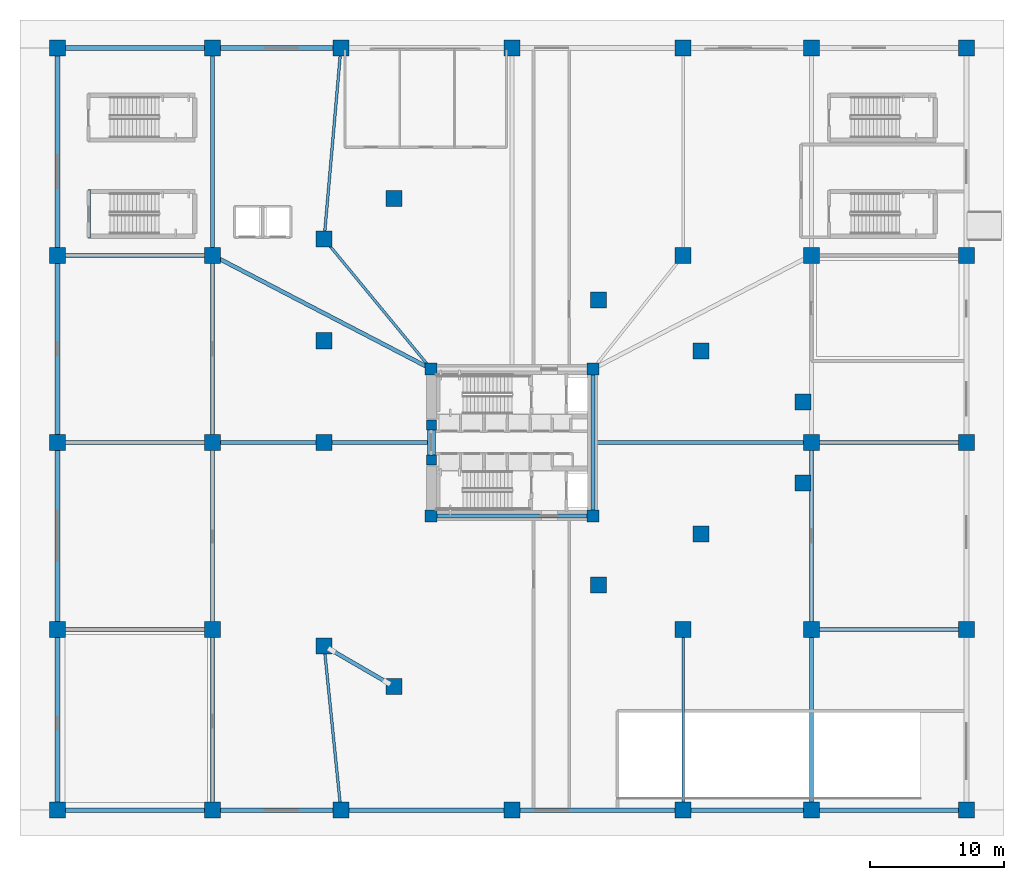
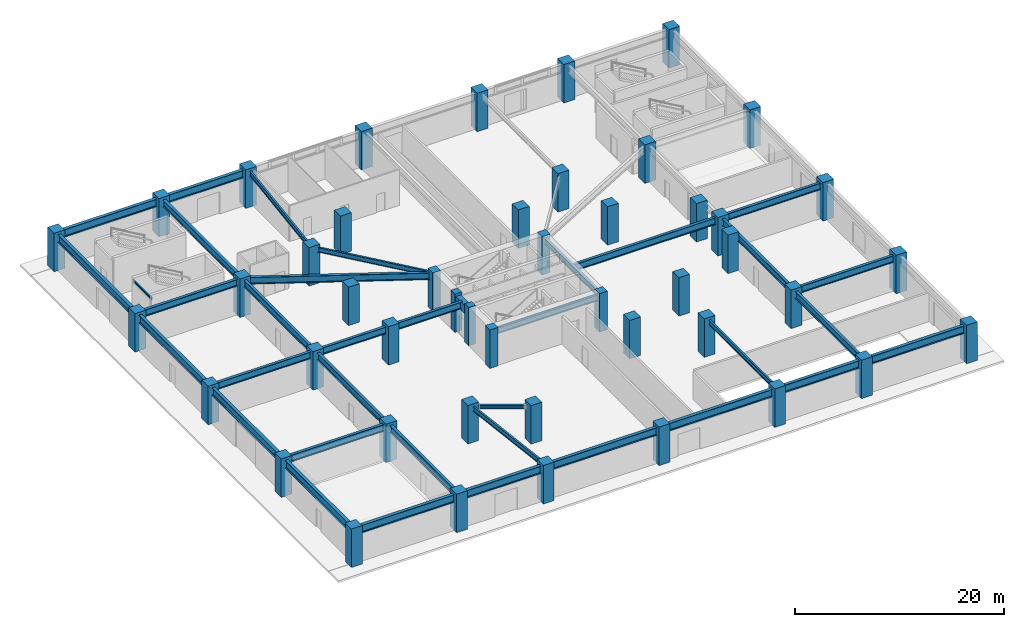
# One storey, part 1 of 18: 46 columns, 34 beams, 1 member.
"""IFC4 building model written with IfcOpenShell, lengths in metres."""

from ifc_helpers import new_model, si_unit, direction, frame, origin, origin_2d, place, context, subcontext, project, spatial, rectangle, i_section, extrude, source, transform, mapped, material, material_profile, profile_set, type_object, element, save


model = new_model("IFC4")

# Units and contexts
model_context = context("Model", 3, precision=1e-05, world=origin(), true_north=direction((0.0, 1.0)))
body_context = subcontext(model_context, "Body", "Model", "MODEL_VIEW")
ifc_project = project(units=[si_unit("LENGTHUNIT", "METRE"), si_unit("AREAUNIT", "SQUARE_METRE"), si_unit("VOLUMEUNIT", "CUBIC_METRE"), si_unit("PLANEANGLEUNIT", "RADIAN"), si_unit("MASSUNIT", "GRAM", prefix="KILO")], contexts=[model_context])

# Site, building, storey
site_placement = place(None, origin())
site = spatial("IfcSite", under=ifc_project, at=site_placement, CompositionType="ELEMENT")
building_placement = place(site_placement, origin())
building = spatial("IfcBuilding", under=site, at=building_placement, Name="Yunling Apex Tower", CompositionType="ELEMENT")
storey_placement = place(building_placement, origin())
storey = spatial("IfcBuildingStorey", under=building, at=storey_placement, Name="L01", CompositionType="ELEMENT", Elevation=0.0)

# Columns
ifc_material_1 = material(Name="Concrete C60", Category="concrete")
ifc_material_profile_1 = material_profile(ifc_material_1, rectangle(XDim=0.89990234375, YDim=0.89990234375, at=origin_2d()))
ifc_profile_set_1 = profile_set([ifc_material_profile_1], Name="Concrete C60")
column_type_1 = type_object("IfcColumnType", Name="PC-SRC-3", PredefinedType="COLUMN", material=ifc_profile_set_1)
shared_shape_1 = source(origin(), body_context, "Body", "SweptSolid", [
    extrude(rectangle(XDim=0.89990234375, YDim=0.89990234375, at=origin_2d()), origin(), (0.0, 0.0, 1.0), 4.5),
])
for number, where, z_axis, x_axis, name in (
    (1, (-6.050048828125, -5.5, 0.0), (0.0, 0.0, 1.0), (1.0, 0.0, 0.0), "L01 Core Spine Column CC-SW"),
    (2, (6.050048828125, -5.5, 0.0), (0.0, 0.0, 1.0), (1.0, 0.0, 0.0), "L01 Core Spine Column CC-SE"),
    (3, (6.050048828125, 5.5, 0.0), (0.0, 0.0, 1.0), (1.0, 0.0, 0.0), "L01 Core Spine Column CC-NE"),
    (4, (-6.050048828125, 5.5, 0.0), (0.0, 0.0, 1.0), (1.0, 0.0, 0.0), "L01 Core Spine Column CC-NW"),
):
    element("IfcColumn", number, at=place(storey_placement, frame(where, z_axis=z_axis, x_axis=x_axis)), inside=storey, type_object=column_type_1, Name=name, PredefinedType="COLUMN", context=body_context, shape_type="MappedRepresentation", body=[
        mapped(shared_shape_1, transform((0.0, 0.0, 0.0), scale=1.0)),
    ])
ifc_material_2 = material(Name="Concrete C50", Category="concrete")
ifc_material_profile_2 = material_profile(ifc_material_2, rectangle(XDim=0.75, YDim=0.75, at=origin_2d()))
ifc_profile_set_2 = profile_set([ifc_material_profile_2], Name="Concrete C50")
column_type_2 = type_object("IfcColumnType", Name="PC-SRC-4", PredefinedType="COLUMN", material=ifc_profile_set_2)
shared_shape_2 = source(origin(), body_context, "Body", "SweptSolid", [
    extrude(rectangle(XDim=0.75, YDim=0.75, at=origin_2d()), origin(), (0.0, 0.0, 1.0), 4.5),
])
for number, where, z_axis, x_axis, name in (
    (5, (-6.02490234375, -1.300048828125, 0.0), (0.0, 0.0, 1.0), (1.0, 0.0, 0.0), "L01 Core West Portal Jamb Column S"),
    (6, (-6.02490234375, 1.300048828125, 0.0), (0.0, 0.0, 1.0), (1.0, 0.0, 0.0), "L01 Core West Portal Jamb Column N"),
):
    element("IfcColumn", number, at=place(storey_placement, frame(where, z_axis=z_axis, x_axis=x_axis)), inside=storey, type_object=column_type_2, Name=name, PredefinedType="COLUMN", context=body_context, shape_type="MappedRepresentation", body=[
        mapped(shared_shape_2, transform((0.0, 0.0, 0.0), scale=1.0)),
    ])
ifc_material_profile_3 = material_profile(ifc_material_1, rectangle(XDim=1.199951171875, YDim=1.199951171875, at=origin_2d()))
ifc_profile_set_3 = profile_set([ifc_material_profile_3], Name="Concrete C60")
column_type_3 = type_object("IfcColumnType", Name="PC-SRC-1", PredefinedType="COLUMN", material=ifc_profile_set_3)
shared_shape_3 = source(origin(), body_context, "Body", "SweptSolid", [
    extrude(rectangle(XDim=1.199951171875, YDim=1.199951171875, at=origin_2d()), origin(), (0.0, 0.0, 1.0), 4.5),
])
for number, where, z_axis, x_axis, name in (
    (7, (-34.0, -27.5, 0.0), (0.0, 0.0, 1.0), (1.0, 0.0, 0.0), "L01 Podium Mega-Column PC-01"),
    (8, (-22.39990234375, -27.5, 0.0), (0.0, 0.0, 1.0), (1.0, 0.0, 0.0), "L01 Podium Mega-Column PC-02"),
    (9, (-12.800048828125, -27.5, 0.0), (0.0, 0.0, 1.0), (1.0, 0.0, 0.0), "L01 Podium Mega-Column PC-03"),
    (10, (0.0, -27.5, 0.0), (0.0, 0.0, 1.0), (1.0, 0.0, 0.0), "L01 Podium Mega-Column PC-04"),
    (11, (12.800048828125, -27.5, 0.0), (0.0, 0.0, 1.0), (1.0, 0.0, 0.0), "L01 Podium Mega-Column PC-05"),
    (12, (22.39990234375, -27.5, 0.0), (0.0, 0.0, 1.0), (1.0, 0.0, 0.0), "L01 Podium Mega-Column PC-06"),
    (13, (34.0, -27.5, 0.0), (0.0, 0.0, 1.0), (1.0, 0.0, 0.0), "L01 Podium Mega-Column PC-07"),
    (14, (-34.0, -14.0, 0.0), (0.0, 0.0, 1.0), (1.0, 0.0, 0.0), "L01 Podium Mega-Column PC-08"),
    (15, (-22.39990234375, -14.0, 0.0), (0.0, 0.0, 1.0), (1.0, 0.0, 0.0), "L01 Podium Mega-Column PC-09"),
    (16, (12.800048828125, -14.0, 0.0), (0.0, 0.0, 1.0), (1.0, 0.0, 0.0), "L01 Podium Mega-Column PC-11"),
    (17, (22.39990234375, -14.0, 0.0), (0.0, 0.0, 1.0), (1.0, 0.0, 0.0), "L01 Podium Mega-Column PC-12"),
    (18, (34.0, -14.0, 0.0), (0.0, 0.0, 1.0), (1.0, 0.0, 0.0), "L01 Podium Mega-Column PC-13"),
    (19, (-34.0, 0.0, 0.0), (0.0, 0.0, 1.0), (1.0, 0.0, 0.0), "L01 Podium Mega-Column PC-14"),
    (20, (-22.39990234375, 0.0, 0.0), (0.0, 0.0, 1.0), (1.0, 0.0, 0.0), "L01 Podium Mega-Column PC-15"),
    (21, (22.39990234375, 0.0, 0.0), (0.0, 0.0, 1.0), (1.0, 0.0, 0.0), "L01 Podium Mega-Column PC-16"),
    (22, (34.0, 0.0, 0.0), (0.0, 0.0, 1.0), (1.0, 0.0, 0.0), "L01 Podium Mega-Column PC-17"),
    (23, (-34.0, 14.0, 0.0), (0.0, 0.0, 1.0), (1.0, 0.0, 0.0), "L01 Podium Mega-Column PC-18"),
    (24, (-22.39990234375, 14.0, 0.0), (0.0, 0.0, 1.0), (1.0, 0.0, 0.0), "L01 Podium Mega-Column PC-19"),
    (25, (12.800048828125, 14.0, 0.0), (0.0, 0.0, 1.0), (1.0, 0.0, 0.0), "L01 Podium Mega-Column PC-21"),
    (26, (22.39990234375, 14.0, 0.0), (0.0, 0.0, 1.0), (1.0, 0.0, 0.0), "L01 Podium Mega-Column PC-22"),
    (27, (34.0, 14.0, 0.0), (0.0, 0.0, 1.0), (1.0, 0.0, 0.0), "L01 Podium Mega-Column PC-23"),
    (28, (-34.0, 29.5, 0.0), (0.0, 0.0, 1.0), (1.0, 0.0, 0.0), "L01 Podium Mega-Column PC-24"),
    (29, (-22.39990234375, 29.5, 0.0), (0.0, 0.0, 1.0), (1.0, 0.0, 0.0), "L01 Podium Mega-Column PC-25"),
    (30, (-12.800048828125, 29.5, 0.0), (0.0, 0.0, 1.0), (1.0, 0.0, 0.0), "L01 Podium Mega-Column PC-26"),
    (31, (0.0, 29.5, 0.0), (0.0, 0.0, 1.0), (1.0, 0.0, 0.0), "L01 Podium Mega-Column PC-27"),
    (32, (12.800048828125, 29.5, 0.0), (0.0, 0.0, 1.0), (1.0, 0.0, 0.0), "L01 Podium Mega-Column PC-28"),
    (33, (22.39990234375, 29.5, 0.0), (0.0, 0.0, 1.0), (1.0, 0.0, 0.0), "L01 Podium Mega-Column PC-29"),
    (34, (34.0, 29.5, 0.0), (0.0, 0.0, 1.0), (1.0, 0.0, 0.0), "L01 Podium Mega-Column PC-30"),
    (35, (-8.8115234375, -18.2578125, 0.0), (0.0, 0.0, 1.0), (1.0, 0.0, 0.0), "L01 Podium Mega-Column MP-B1-01"),
    (36, (6.477294921875, -10.648193359375, 0.0), (0.0, 0.0, 1.0), (1.0, 0.0, 0.0), "L01 Podium Mega-Column MP-B1-02"),
    (37, (14.121826171875, -6.843505859375, 0.0), (0.0, 0.0, 1.0), (1.0, 0.0, 0.0), "L01 Podium Mega-Column MP-B1-03"),
    (38, (21.76611328125, -3.038818359375, 0.0), (0.0, 0.0, 1.0), (1.0, 0.0, 0.0), "L01 Podium Mega-Column MP-B1-04"),
    (39, (21.76611328125, 3.038818359375, 0.0), (0.0, 0.0, 1.0), (1.0, 0.0, 0.0), "L01 Podium Mega-Column MP-B1-05"),
    (40, (14.121826171875, 6.843505859375, 0.0), (0.0, 0.0, 1.0), (1.0, 0.0, 0.0), "L01 Podium Mega-Column MP-B1-06"),
    (41, (6.477294921875, 10.648193359375, 0.0), (0.0, 0.0, 1.0), (1.0, 0.0, 0.0), "L01 Podium Mega-Column MP-B1-07"),
    (42, (-8.8115234375, 18.2578125, 0.0), (0.0, 0.0, 1.0), (1.0, 0.0, 0.0), "L01 Podium Mega-Column MP-B1-08"),
    (43, (-14.052001953125, 15.218994140625, 0.0), (0.0, 0.0, 1.0), (1.0, 0.0, 0.0), "L01 Podium Mega-Column MP-B1-09"),
    (44, (-14.052001953125, 7.609619140625, 0.0), (0.0, 0.0, 1.0), (1.0, 0.0, 0.0), "L01 Podium Mega-Column MP-B1-10"),
    (45, (-14.052001953125, 0.0, 0.0), (0.0, 0.0, 1.0), (1.0, 0.0, 0.0), "L01 Podium Mega-Column MP-B1-11"),
    (46, (-14.052001953125, -15.218994140625, 0.0), (0.0, 0.0, 1.0), (1.0, 0.0, 0.0), "L01 Podium Mega-Column MP-B1-12"),
):
    element("IfcColumn", number, at=place(storey_placement, frame(where, z_axis=z_axis, x_axis=x_axis)), inside=storey, type_object=column_type_3, Name=name, PredefinedType="COLUMN", context=body_context, shape_type="MappedRepresentation", body=[
        mapped(shared_shape_3, transform((0.0, 0.0, 0.0), scale=1.0)),
    ])

# Beams
ifc_material_profile_4 = material_profile(ifc_material_1, rectangle(XDim=0.60009765625, YDim=1.0, at=origin_2d()))
ifc_profile_set_4 = profile_set([ifc_material_profile_4], Name="Concrete C60")
beam_type_1 = type_object("IfcBeamType", Name="BC-CPL-1", PredefinedType="BEAM", material=ifc_profile_set_4)
shared_shape_4 = source(origin(), body_context, "Body", "SweptSolid", [
    extrude(rectangle(XDim=0.60009765625, YDim=1.0, at=origin_2d()), origin(), (0.0, 0.0, 1.0), 2.5),
])
beam_1_placement = place(storey_placement, frame((-6.02490234375, -1.25, 3.68994140625), z_axis=(0.0, 1.0, 0.0), x_axis=(-1.0, 0.0, 0.0)))
element("IfcBeam", 47, at=beam_1_placement, inside=storey, type_object=beam_type_1, Name="L01 Core West Portal Coupling Beam", PredefinedType="BEAM", context=body_context, shape_type="MappedRepresentation", body=[
    mapped(shared_shape_4, transform((0.0, 0.0, 0.0), scale=1.0)),
])
ifc_material_3 = material(Name="Steel Q355B", Category="steel")
ifc_material_profile_5 = material_profile(ifc_material_3, i_section(OverallWidth=0.300048828125, OverallDepth=0.699951171875, WebThickness=0.012939453125, FlangeThickness=0.02392578125, FilletRadius=0.02587890625, at=origin_2d()))
ifc_profile_set_5 = profile_set([ifc_material_profile_5], Name="Steel Q355B")
beam_type_2 = type_object("IfcBeamType", Name="BG-PRI-3", PredefinedType="USERDEFINED", material=ifc_profile_set_5)
shared_shape_5 = source(origin(), body_context, "Body", "SweptSolid", [
    extrude(i_section(OverallWidth=0.300048828125, OverallDepth=0.699951171875, WebThickness=0.012939453125, FlangeThickness=0.02392578125, FilletRadius=0.02587890625, at=origin_2d()), origin(), (0.0, 0.0, 1.0), 11.7998046875),
])
beam_2_placement = place(storey_placement, frame((-5.89990234375, -5.5, 3.840087890625), z_axis=(1.0, 0.0, 0.0), x_axis=(0.0, 1.0, 0.0)))
element("IfcBeam", 48, at=beam_2_placement, inside=storey, type_object=beam_type_2, Name="L01 Core Ring Tie Beam 1", ObjectType="GIRDER", PredefinedType="USERDEFINED", context=body_context, shape_type="MappedRepresentation", body=[
    mapped(shared_shape_5, transform((0.0, 0.0, 0.0), scale=1.0)),
])
shared_shape_6 = source(origin(), body_context, "Body", "SweptSolid", [
    extrude(i_section(OverallWidth=0.300048828125, OverallDepth=0.699951171875, WebThickness=0.012939453125, FlangeThickness=0.02392578125, FilletRadius=0.02587890625, at=origin_2d()), origin(), (0.0, 0.0, 1.0), 10.7001953125),
])
beam_3_placement = place(storey_placement, frame((6.050048828125, -5.35009765625, 3.840087890625), z_axis=(0.0, 1.0, 0.0), x_axis=(-1.0, 0.0, 0.0)))
element("IfcBeam", 49, at=beam_3_placement, inside=storey, type_object=beam_type_2, Name="L01 Core Ring Tie Beam 2", ObjectType="GIRDER", PredefinedType="USERDEFINED", context=body_context, shape_type="MappedRepresentation", body=[
    mapped(shared_shape_6, transform((0.0, 0.0, 0.0), scale=1.0)),
])
ifc_material_profile_6 = material_profile(ifc_material_3, i_section(OverallWidth=0.35009765625, OverallDepth=0.89990234375, WebThickness=0.01806640625, FlangeThickness=0.028076171875, FilletRadius=0.02392578125, at=origin_2d()))
ifc_profile_set_6 = profile_set([ifc_material_profile_6], Name="Steel Q355B")
beam_type_3 = type_object("IfcBeamType", Name="BG-PRI-1", PredefinedType="USERDEFINED", material=ifc_profile_set_6)
shared_shape_7 = source(origin(), body_context, "Body", "SweptSolid", [
    extrude(i_section(OverallWidth=0.35009765625, OverallDepth=0.89990234375, WebThickness=0.01806640625, FlangeThickness=0.028076171875, FilletRadius=0.02392578125, at=origin_2d()), origin(), (0.0, 0.0, 1.0), 11.52001953125),
])
for number, where, z_axis, x_axis, name in (
    (50, (-33.9599609375, -27.5, 3.739990234375), (1.0, 0.0, 0.0), (0.0, 1.0, 0.0), "L01 Podium Edge Girder 1"),
    (51, (22.43994140625, -27.5, 3.739990234375), (1.0, 0.0, 0.0), (0.0, 1.0, 0.0), "L01 Podium Edge Girder 6"),
    (52, (-33.9599609375, 29.5, 3.739990234375), (1.0, 0.0, 0.0), (0.0, 1.0, 0.0), "L01 Podium Edge Girder 7"),
):
    element("IfcBeam", number, at=place(storey_placement, frame(where, z_axis=z_axis, x_axis=x_axis)), inside=storey, type_object=beam_type_3, Name=name, ObjectType="GIRDER", PredefinedType="USERDEFINED", context=body_context, shape_type="MappedRepresentation", body=[
        mapped(shared_shape_7, transform((0.0, 0.0, 0.0), scale=1.0)),
    ])
shared_shape_8 = source(origin(), body_context, "Body", "SweptSolid", [
    extrude(i_section(OverallWidth=0.35009765625, OverallDepth=0.89990234375, WebThickness=0.01806640625, FlangeThickness=0.028076171875, FilletRadius=0.02392578125, at=origin_2d()), origin(), (0.0, 0.0, 1.0), 9.52001953125),
])
for number, where, z_axis, x_axis, name in (
    (53, (-22.360107421875, -27.5, 3.739990234375), (1.0, 0.0, 0.0), (0.0, 1.0, 0.0), "L01 Podium Edge Girder 2"),
    (54, (12.840087890625, -27.5, 3.739990234375), (1.0, 0.0, 0.0), (0.0, 1.0, 0.0), "L01 Podium Edge Girder 5"),
    (55, (-22.360107421875, 29.5, 3.739990234375), (1.0, 0.0, 0.0), (0.0, 1.0, 0.0), "L01 Podium Edge Girder 8"),
):
    element("IfcBeam", number, at=place(storey_placement, frame(where, z_axis=z_axis, x_axis=x_axis)), inside=storey, type_object=beam_type_3, Name=name, ObjectType="GIRDER", PredefinedType="USERDEFINED", context=body_context, shape_type="MappedRepresentation", body=[
        mapped(shared_shape_8, transform((0.0, 0.0, 0.0), scale=1.0)),
    ])
shared_shape_9 = source(origin(), body_context, "Body", "SweptSolid", [
    extrude(i_section(OverallWidth=0.35009765625, OverallDepth=0.89990234375, WebThickness=0.01806640625, FlangeThickness=0.028076171875, FilletRadius=0.02392578125, at=origin_2d()), origin(), (0.0, 0.0, 1.0), 12.719970703125),
])
for number, where, z_axis, x_axis, name in (
    (56, (-12.760009765625, -27.5, 3.739990234375), (1.0, 0.0, 0.0), (0.0, 1.0, 0.0), "L01 Podium Edge Girder 3"),
    (57, (0.0400390625, -27.5, 3.739990234375), (1.0, 0.0, 0.0), (0.0, 1.0, 0.0), "L01 Podium Edge Girder 4"),
):
    element("IfcBeam", number, at=place(storey_placement, frame(where, z_axis=z_axis, x_axis=x_axis)), inside=storey, type_object=beam_type_3, Name=name, ObjectType="GIRDER", PredefinedType="USERDEFINED", context=body_context, shape_type="MappedRepresentation", body=[
        mapped(shared_shape_9, transform((0.0, 0.0, 0.0), scale=1.0)),
    ])
shared_shape_10 = source(origin(), body_context, "Body", "SweptSolid", [
    extrude(i_section(OverallWidth=0.35009765625, OverallDepth=0.89990234375, WebThickness=0.01806640625, FlangeThickness=0.028076171875, FilletRadius=0.02392578125, at=origin_2d()), origin(), (0.0, 0.0, 1.0), 13.419921875),
])
beam_4_placement = place(storey_placement, frame((-34.0, -27.4599609375, 3.739990234375), z_axis=(0.0, 1.0, 0.0), x_axis=(-1.0, 0.0, 0.0)))
element("IfcBeam", 58, at=beam_4_placement, inside=storey, type_object=beam_type_3, Name="L01 Podium Side Girder 13", ObjectType="GIRDER", PredefinedType="USERDEFINED", context=body_context, shape_type="MappedRepresentation", body=[
    mapped(shared_shape_10, transform((0.0, 0.0, 0.0), scale=1.0)),
])
shared_shape_11 = source(origin(), body_context, "Body", "SweptSolid", [
    extrude(i_section(OverallWidth=0.35009765625, OverallDepth=0.89990234375, WebThickness=0.01806640625, FlangeThickness=0.028076171875, FilletRadius=0.02392578125, at=origin_2d()), origin(), (0.0, 0.0, 1.0), 13.919921875),
])
for number, where, z_axis, x_axis, name in (
    (59, (-34.0, -13.9599609375, 3.739990234375), (0.0, 1.0, 0.0), (-1.0, 0.0, 0.0), "L01 Podium Side Girder 14"),
    (60, (-34.0, 0.0400390625, 3.739990234375), (0.0, 1.0, 0.0), (-1.0, 0.0, 0.0), "L01 Podium Side Girder 15"),
):
    element("IfcBeam", number, at=place(storey_placement, frame(where, z_axis=z_axis, x_axis=x_axis)), inside=storey, type_object=beam_type_3, Name=name, ObjectType="GIRDER", PredefinedType="USERDEFINED", context=body_context, shape_type="MappedRepresentation", body=[
        mapped(shared_shape_11, transform((0.0, 0.0, 0.0), scale=1.0)),
    ])
shared_shape_12 = source(origin(), body_context, "Body", "SweptSolid", [
    extrude(i_section(OverallWidth=0.35009765625, OverallDepth=0.89990234375, WebThickness=0.01806640625, FlangeThickness=0.028076171875, FilletRadius=0.02392578125, at=origin_2d()), origin(), (0.0, 0.0, 1.0), 15.419921875),
])
beam_5_placement = place(storey_placement, frame((-34.0, 14.0400390625, 3.739990234375), z_axis=(0.0, 1.0, 0.0), x_axis=(-1.0, 0.0, 0.0)))
element("IfcBeam", 61, at=beam_5_placement, inside=storey, type_object=beam_type_3, Name="L01 Podium Side Girder 16", ObjectType="GIRDER", PredefinedType="USERDEFINED", context=body_context, shape_type="MappedRepresentation", body=[
    mapped(shared_shape_12, transform((0.0, 0.0, 0.0), scale=1.0)),
])
ifc_material_profile_7 = material_profile(ifc_material_3, i_section(OverallWidth=0.300048828125, OverallDepth=0.800048828125, WebThickness=0.013916015625, FlangeThickness=0.02587890625, FilletRadius=0.028076171875, at=origin_2d()))
ifc_profile_set_7 = profile_set([ifc_material_profile_7], Name="Steel Q355B")
beam_type_4 = type_object("IfcBeamType", Name="BG-PRI-2", PredefinedType="USERDEFINED", material=ifc_profile_set_7)
shared_shape_13 = source(origin(), body_context, "Body", "SweptSolid", [
    extrude(i_section(OverallWidth=0.300048828125, OverallDepth=0.800048828125, WebThickness=0.013916015625, FlangeThickness=0.02587890625, FilletRadius=0.028076171875, at=origin_2d()), origin(), (0.0, 0.0, 1.0), 11.52001953125),
])
for number, where, z_axis, x_axis, name in (
    (62, (-33.9599609375, 14.0, 3.7900390625), (1.0, 0.0, 0.0), (0.0, 1.0, 0.0), "L01 Podium Primary Girder 1"),
    (63, (-33.9599609375, -14.0, 3.7900390625), (1.0, 0.0, 0.0), (0.0, 1.0, 0.0), "L01 Podium Primary Girder 5"),
    (64, (22.43994140625, -14.0, 3.7900390625), (1.0, 0.0, 0.0), (0.0, 1.0, 0.0), "L01 Podium Primary Girder 8"),
    (65, (-33.9599609375, 0.0, 3.7900390625), (1.0, 0.0, 0.0), (0.0, 1.0, 0.0), "L01 Podium Primary Girder 9"),
    (66, (22.43994140625, 0.0, 3.7900390625), (1.0, 0.0, 0.0), (0.0, 1.0, 0.0), "L01 Podium Primary Girder 12"),
):
    element("IfcBeam", number, at=place(storey_placement, frame(where, z_axis=z_axis, x_axis=x_axis)), inside=storey, type_object=beam_type_4, Name=name, ObjectType="GIRDER", PredefinedType="USERDEFINED", context=body_context, shape_type="MappedRepresentation", body=[
        mapped(shared_shape_13, transform((0.0, 0.0, 0.0), scale=1.0)),
    ])
shared_shape_14 = source(origin(), body_context, "Body", "SweptSolid", [
    extrude(i_section(OverallWidth=0.300048828125, OverallDepth=0.800048828125, WebThickness=0.013916015625, FlangeThickness=0.02587890625, FilletRadius=0.028076171875, at=origin_2d()), origin(), (0.0, 0.0, 1.0), 18.347412109375),
])
beam_6_placement = place(storey_placement, frame((-22.364501953125, 13.9814453125, 3.7900390625), z_axis=(0.887266251523, -0.461257627481, 0.0), x_axis=(0.461257627481, 0.887266251523, 0.0)))
element("IfcBeam", 67, at=beam_6_placement, inside=storey, type_object=beam_type_4, Name="L01 Podium Primary Girder 2", ObjectType="GIRDER", PredefinedType="USERDEFINED", context=body_context, shape_type="MappedRepresentation", body=[
    mapped(shared_shape_14, transform((0.0, 0.0, 0.0), scale=1.0)),
])
shared_shape_15 = source(origin(), body_context, "Body", "SweptSolid", [
    extrude(i_section(OverallWidth=0.300048828125, OverallDepth=0.800048828125, WebThickness=0.013916015625, FlangeThickness=0.02587890625, FilletRadius=0.028076171875, at=origin_2d()), origin(), (0.0, 0.0, 1.0), 16.22021484375),
])
for number, where, z_axis, x_axis, name in (
    (68, (-22.360107421875, 0.0, 3.7900390625), (1.0, 0.0, 0.0), (0.0, 1.0, 0.0), "L01 Podium Primary Girder 10"),
    (69, (6.139892578125, 0.0, 3.7900390625), (1.0, 0.0, 0.0), (0.0, 1.0, 0.0), "L01 Podium Primary Girder 11"),
):
    element("IfcBeam", number, at=place(storey_placement, frame(where, z_axis=z_axis, x_axis=x_axis)), inside=storey, type_object=beam_type_4, Name=name, ObjectType="GIRDER", PredefinedType="USERDEFINED", context=body_context, shape_type="MappedRepresentation", body=[
        mapped(shared_shape_15, transform((0.0, 0.0, 0.0), scale=1.0)),
    ])
shared_shape_16 = source(origin(), body_context, "Body", "SweptSolid", [
    extrude(i_section(OverallWidth=0.300048828125, OverallDepth=0.800048828125, WebThickness=0.013916015625, FlangeThickness=0.02587890625, FilletRadius=0.028076171875, at=origin_2d()), origin(), (0.0, 0.0, 1.0), 15.419921875),
])
beam_7_placement = place(storey_placement, frame((-22.39990234375, 29.4599609375, 3.7900390625), z_axis=(0.0, -1.0, 0.0), x_axis=(1.0, 0.0, 0.0)))
element("IfcBeam", 70, at=beam_7_placement, inside=storey, type_object=beam_type_4, Name="L01 Podium Primary Girder 13", ObjectType="GIRDER", PredefinedType="USERDEFINED", context=body_context, shape_type="MappedRepresentation", body=[
    mapped(shared_shape_16, transform((0.0, 0.0, 0.0), scale=1.0)),
])
shared_shape_17 = source(origin(), body_context, "Body", "SweptSolid", [
    extrude(i_section(OverallWidth=0.300048828125, OverallDepth=0.800048828125, WebThickness=0.013916015625, FlangeThickness=0.02587890625, FilletRadius=0.028076171875, at=origin_2d()), origin(), (0.0, 0.0, 1.0), 13.919921875),
])
for number, where, z_axis, x_axis, name in (
    (71, (-22.39990234375, 13.9599609375, 3.7900390625), (0.0, -1.0, 0.0), (1.0, 0.0, 0.0), "L01 Podium Primary Girder 14"),
    (72, (-22.39990234375, -0.0400390625, 3.7900390625), (0.0, -1.0, 0.0), (1.0, 0.0, 0.0), "L01 Podium Primary Girder 15"),
    (73, (22.39990234375, -0.0400390625, 3.7900390625), (0.0, -1.0, 0.0), (1.0, 0.0, 0.0), "L01 Podium Primary Girder 19"),
):
    element("IfcBeam", number, at=place(storey_placement, frame(where, z_axis=z_axis, x_axis=x_axis)), inside=storey, type_object=beam_type_4, Name=name, ObjectType="GIRDER", PredefinedType="USERDEFINED", context=body_context, shape_type="MappedRepresentation", body=[
        mapped(shared_shape_17, transform((0.0, 0.0, 0.0), scale=1.0)),
    ])
shared_shape_18 = source(origin(), body_context, "Body", "SweptSolid", [
    extrude(i_section(OverallWidth=0.300048828125, OverallDepth=0.800048828125, WebThickness=0.013916015625, FlangeThickness=0.02587890625, FilletRadius=0.028076171875, at=origin_2d()), origin(), (0.0, 0.0, 1.0), 13.419921875),
])
for number, where, z_axis, x_axis, name in (
    (74, (-22.39990234375, -14.0400390625, 3.7900390625), (0.0, -1.0, 0.0), (1.0, 0.0, 0.0), "L01 Podium Primary Girder 16"),
    (75, (22.39990234375, -14.0400390625, 3.7900390625), (0.0, -1.0, 0.0), (1.0, 0.0, 0.0), "L01 Podium Primary Girder 20"),
):
    element("IfcBeam", number, at=place(storey_placement, frame(where, z_axis=z_axis, x_axis=x_axis)), inside=storey, type_object=beam_type_4, Name=name, ObjectType="GIRDER", PredefinedType="USERDEFINED", context=body_context, shape_type="MappedRepresentation", body=[
        mapped(shared_shape_18, transform((0.0, 0.0, 0.0), scale=1.0)),
    ])
ifc_material_profile_8 = material_profile(ifc_material_3, i_section(OverallWidth=0.199951171875, OverallDepth=0.550048828125, WebThickness=0.010009765625, FlangeThickness=0.01611328125, FilletRadius=0.02001953125, at=origin_2d()))
ifc_profile_set_8 = profile_set([ifc_material_profile_8], Name="Steel Q355B")
beam_type_5 = type_object("IfcBeamType", Name="BS-SEC-1", PredefinedType="BEAM", material=ifc_profile_set_8)
shared_shape_19 = source(origin(), body_context, "Body", "SweptSolid", [
    extrude(i_section(OverallWidth=0.199951171875, OverallDepth=0.550048828125, WebThickness=0.010009765625, FlangeThickness=0.01611328125, FilletRadius=0.02001953125, at=origin_2d()), origin(), (0.0, 0.0, 1.0), 14.255859375),
])
beam_8_placement = place(storey_placement, frame((-12.803466796875, 29.460205078125, 3.9150390625), z_axis=(-0.087340515192, -0.99617851533, 0.0), x_axis=(0.99617851533, -0.087340515192, 0.0)))
element("IfcBeam", 76, at=beam_8_placement, inside=storey, type_object=beam_type_5, Name="L01 Podium Secondary Beam 1", PredefinedType="BEAM", context=body_context, shape_type="MappedRepresentation", body=[
    mapped(shared_shape_19, transform((0.0, 0.0, 0.0), scale=1.0)),
])
shared_shape_20 = source(origin(), body_context, "Body", "SweptSolid", [
    extrude(i_section(OverallWidth=0.199951171875, OverallDepth=0.550048828125, WebThickness=0.010009765625, FlangeThickness=0.01611328125, FilletRadius=0.02001953125, at=origin_2d()), origin(), (0.0, 0.0, 1.0), 12.509033203125),
])
beam_9_placement = place(storey_placement, frame((-14.026611328125, 15.18798828125, 3.9150390625), z_axis=(0.635629262148, -0.771994456652, 0.0), x_axis=(0.771994456652, 0.635629262148, 0.0)))
element("IfcBeam", 77, at=beam_9_placement, inside=storey, type_object=beam_type_5, Name="L01 Podium Secondary Beam 2", PredefinedType="BEAM", context=body_context, shape_type="MappedRepresentation", body=[
    mapped(shared_shape_20, transform((0.0, 0.0, 0.0), scale=1.0)),
])
shared_shape_21 = source(origin(), body_context, "Body", "SweptSolid", [
    extrude(i_section(OverallWidth=0.199951171875, OverallDepth=0.550048828125, WebThickness=0.010009765625, FlangeThickness=0.01611328125, FilletRadius=0.02001953125, at=origin_2d()), origin(), (0.0, 0.0, 1.0), 13.419921875),
])
beam_10_placement = place(storey_placement, frame((12.800048828125, -27.4599609375, 3.9150390625), z_axis=(0.0, 1.0, 0.0), x_axis=(-1.0, 0.0, 0.0)))
element("IfcBeam", 78, at=beam_10_placement, inside=storey, type_object=beam_type_5, Name="L01 Podium Secondary Beam 7", PredefinedType="BEAM", context=body_context, shape_type="MappedRepresentation", body=[
    mapped(shared_shape_21, transform((0.0, 0.0, 0.0), scale=1.0)),
])
shared_shape_22 = source(origin(), body_context, "Body", "SweptSolid", [
    extrude(i_section(OverallWidth=0.199951171875, OverallDepth=0.550048828125, WebThickness=0.010009765625, FlangeThickness=0.01611328125, FilletRadius=0.02001953125, at=origin_2d()), origin(), (0.0, 0.0, 1.0), 12.2646484375),
])
beam_11_placement = place(storey_placement, frame((-12.80419921875, -27.460205078125, 3.9150390625), z_axis=(-0.101401512652, 0.994845582607, 0.0), x_axis=(-0.994845582607, -0.101401512652, 0.0)))
element("IfcBeam", 79, at=beam_11_placement, inside=storey, type_object=beam_type_5, Name="L01 Podium Secondary Beam 5", PredefinedType="BEAM", context=body_context, shape_type="MappedRepresentation", body=[
    mapped(shared_shape_22, transform((0.0, 0.0, 0.0), scale=1.0)),
])
ifc_material_profile_9 = material_profile(ifc_material_3, i_section(OverallWidth=0.125, OverallDepth=0.25, WebThickness=0.006103515625, FlangeThickness=0.009033203125, FilletRadius=0.011962890625, at=origin_2d()))
ifc_profile_set_9 = profile_set([ifc_material_profile_9], Name="Steel Q355B")
beam_type_6 = type_object("IfcBeamType", Name="BL-LNT-1", PredefinedType="LINTEL", material=ifc_profile_set_9)
shared_shape_23 = source(origin(), body_context, "Body", "SweptSolid", [
    extrude(i_section(OverallWidth=0.125, OverallDepth=0.25, WebThickness=0.006103515625, FlangeThickness=0.009033203125, FilletRadius=0.011962890625, at=origin_2d()), origin(), (0.0, 0.0, 1.0), 3.639892578125),
])
beam_12_placement = place(storey_placement, frame((-31.60009765625, 15.280029296875, 4.0400390625), z_axis=(0.0, 1.0, 0.0), x_axis=(-1.0, 0.0, 0.0)))
element("IfcBeam", 80, at=beam_12_placement, inside=storey, type_object=beam_type_6, Name="L01 Secondary Spandrel Lintel BL-LNT-L01-1", PredefinedType="LINTEL", context=body_context, shape_type="MappedRepresentation", body=[
    mapped(shared_shape_23, transform((0.0, 0.0, 0.0), scale=1.0)),
])

# Member
ifc_material_profile_10 = material_profile(ifc_material_3, i_section(OverallWidth=0.300048828125, OverallDepth=0.389892578125, WebThickness=0.010009765625, FlangeThickness=0.01611328125, FilletRadius=0.02001953125, at=origin_2d()))
ifc_profile_set_10 = profile_set([ifc_material_profile_10], Name="Steel Q355B")
member_type = type_object("IfcMemberType", Name="ST-STR-2", PredefinedType="STRUT", material=ifc_profile_set_10)
shared_shape_24 = source(origin(), body_context, "Body", "SweptSolid", [
    extrude(i_section(OverallWidth=0.300048828125, OverallDepth=0.389892578125, WebThickness=0.010009765625, FlangeThickness=0.01611328125, FilletRadius=0.02001953125, at=origin_2d()), origin(), (0.0, 0.0, 1.0), 4.758056640625),
])
member_placement = place(storey_placement, frame((-13.48779296875, -15.546142578125, 3.840087890625), z_axis=(0.864965709617, -0.50183096874, 0.0), x_axis=(0.50183096874, 0.864965709617, 0.0)))
element("IfcMember", 81, at=member_placement, inside=storey, type_object=member_type, Name="L01 Atrium Lateral Tie Strut", PredefinedType="STRUT", context=body_context, shape_type="MappedRepresentation", body=[
    mapped(shared_shape_24, transform((0.0, 0.0, 0.0), scale=1.0)),
])

save(model, "model.ifc")
